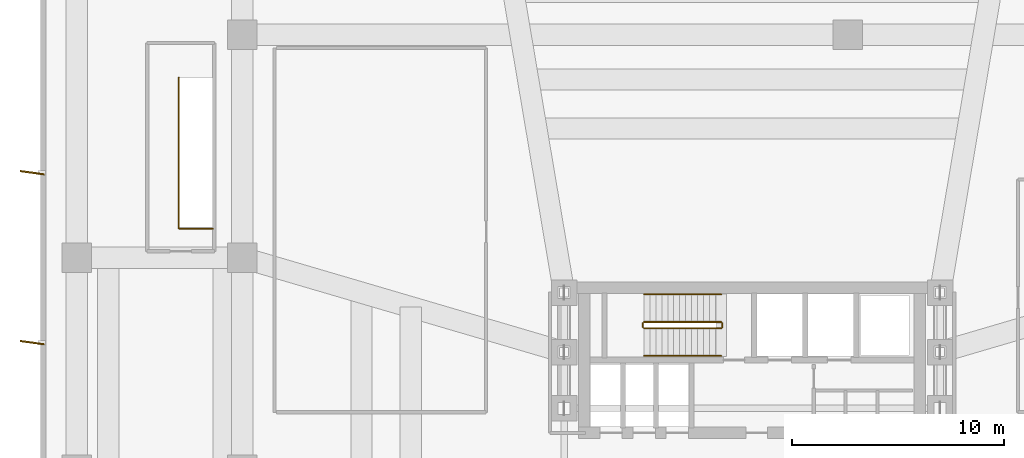
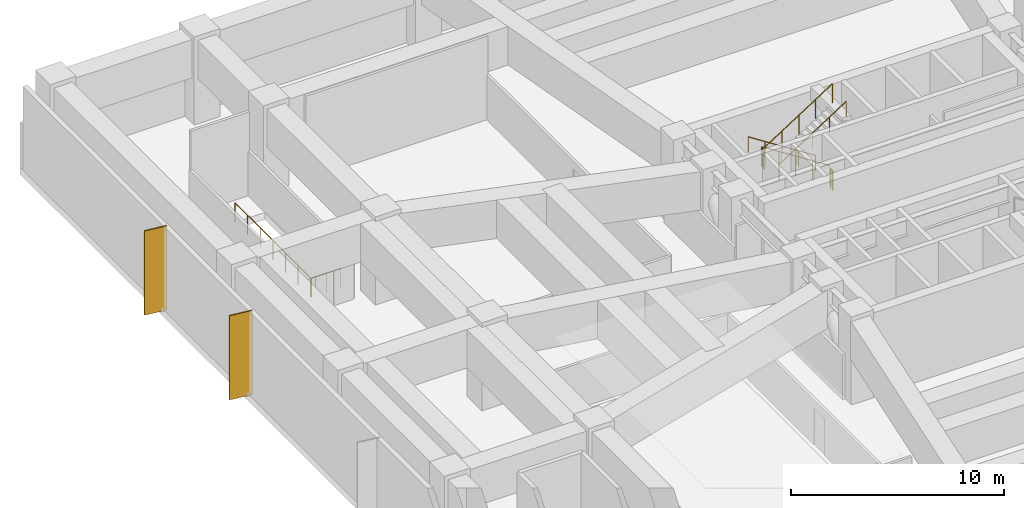
# One storey, part 13 of 14: 8 railings, 2 shading devices.
"""IFC4 building model written with IfcOpenShell, lengths in metres."""

from ifc_helpers import new_model, si_unit, direction, frame, origin, origin_2d, place, context, subcontext, project, spatial, rectangle, circle, extrude, material, layer, layer_set, type_object, element, save


model = new_model("IFC4")

# Units and contexts
model_context = context("Model", 3, precision=1e-05, world=origin(), true_north=direction((0.0, 1.0)))
body_context = subcontext(model_context, "Body", "Model", "MODEL_VIEW")
ifc_project = project(units=[si_unit("LENGTHUNIT", "METRE"), si_unit("AREAUNIT", "SQUARE_METRE"), si_unit("VOLUMEUNIT", "CUBIC_METRE"), si_unit("PLANEANGLEUNIT", "RADIAN"), si_unit("MASSUNIT", "GRAM", prefix="KILO")], contexts=[model_context])

# Site, building, storey
site_placement = place(None, origin())
site = spatial("IfcSite", under=ifc_project, at=site_placement, CompositionType="ELEMENT")
building_placement = place(site_placement, origin())
building = spatial("IfcBuilding", under=site, at=building_placement, Name="Solmarez Civic Tower", CompositionType="ELEMENT")
storey_placement = place(building_placement, frame((0.0, 0.0, 19.43994140625)))
storey = spatial("IfcBuildingStorey", under=building, at=storey_placement, Name="L04", CompositionType="ELEMENT", Elevation=19.43994140625)

# Shading devices
ifc_material_1 = material(Name="Bronze Anodised Aluminium EN AW-6063 T6", Category="aluminium")
ifc_layer = layer(ifc_material_1, 0.070068359375)
ifc_layer_set = layer_set([ifc_layer], Name="Bronze Anodised Aluminium EN AW-6063 T6")
shading_device_type = type_object("IfcShadingDeviceType", Name="FIN-BRONZE-POD", PredefinedType="USERDEFINED", material=ifc_layer_set)
for number, where, z_axis, x_axis, name in (
    (1, (-33.89501953125, 6.0, -0.0400390625), (0.0, 0.0, 1.0), (-0.990983199715, 0.133986185418, 0.0), "L04 Anodised Bronze Solar Fin FIN-L04-W3"),
    (2, (-33.89501953125, 14.0, -0.0400390625), (0.0, 0.0, 1.0), (-0.990983199715, 0.133986185418, 0.0), "L04 Anodised Bronze Solar Fin FIN-L04-W4"),
):
    element("IfcShadingDevice", number, at=place(storey_placement, frame(where, z_axis=z_axis, x_axis=x_axis)), inside=storey, type_object=shading_device_type, Name=name, ObjectType="FIN", PredefinedType="USERDEFINED", context=body_context, shape_type="SweptSolid", body=[
        extrude(rectangle(XDim=1.14990234375, YDim=0.070068359375, at=origin_2d()), origin(), (0.0, 0.0, 1.0), 4.820068359375),
    ])

# Railings
ifc_material_2 = material(Name="Painted Steel Stairwell Safety Guard", Category="steel")
railing_type_1 = type_object("IfcRailingType", Name="GUARD-STAIR-1120", PredefinedType="BALUSTRADE", material=ifc_material_2)
railing_1_placement = place(storey_placement, frame((-1.449951171875, 6.969970703125, 0.18017578125)))
element("IfcRailing", 3, at=railing_1_placement, inside=storey, type_object=railing_type_1, Name="L04 ST-1 stair guard 1", PredefinedType="BALUSTRADE", context=body_context, shape_type="SweptSolid", body=[
    extrude(circle(Radius=0.02392578125, at=origin_2d()), frame((0.0, 0.0, 1.09619140625), z_axis=(-0.841204137849, 0.0, 0.540717669829), x_axis=(0.0, -1.0, 0.0)), (0.0, 0.0, 1.0), 4.327392578125),
    extrude(circle(Radius=0.02099609375, at=origin_2d()), origin(), (0.0, 0.0, 1.0), 1.072021484375),
    extrude(circle(Radius=0.02099609375, at=origin_2d()), frame((-0.91015625, 0.0, 0.5849609375)), (0.0, 0.0, 1.0), 1.072021484375),
    extrude(circle(Radius=0.02099609375, at=origin_2d()), frame((-1.820068359375, 0.0, 1.169921875)), (0.0, 0.0, 1.0), 1.072021484375),
    extrude(circle(Radius=0.02099609375, at=origin_2d()), frame((-2.72998046875, 0.0, 1.7548828125)), (0.0, 0.0, 1.0), 1.072021484375),
    extrude(circle(Radius=0.02099609375, at=origin_2d()), frame((-3.64013671875, 0.0, 2.33984375)), (0.0, 0.0, 1.0), 1.072021484375),
])
railing_2_placement = place(storey_placement, frame((-5.139892578125, 6.919921875, 2.52001953125)))
element("IfcRailing", 4, at=railing_2_placement, inside=storey, type_object=railing_type_1, Name="L04 ST-1 stair guard 2", PredefinedType="BALUSTRADE", context=body_context, shape_type="SweptSolid", body=[
    extrude(circle(Radius=0.02392578125, at=origin_2d()), frame((0.0, 0.0, 1.09619140625), z_axis=(0.0, -1.0, 0.0), x_axis=(1.0, 0.0, 0.0)), (0.0, 0.0, 1.0), 0.199951171875),
    extrude(circle(Radius=0.02099609375, at=origin_2d()), origin(), (0.0, 0.0, 1.0), 1.072021484375),
    extrude(circle(Radius=0.02099609375, at=origin_2d()), frame((0.0, -0.199951171875, 0.0)), (0.0, 0.0, 1.0), 1.072021484375),
])
railing_3_placement = place(storey_placement, frame((-5.090087890625, 6.669921875, 2.699951171875)))
element("IfcRailing", 5, at=railing_3_placement, inside=storey, type_object=railing_type_1, Name="L04 ST-1 stair guard 3", PredefinedType="BALUSTRADE", context=body_context, shape_type="SweptSolid", body=[
    extrude(circle(Radius=0.02392578125, at=origin_2d()), frame((0.0, 0.0, 1.09619140625), z_axis=(0.841178475377, 0.0, 0.540757591313), x_axis=(0.0, 1.0, 0.0)), (0.0, 0.0, 1.0), 4.327392578125),
    extrude(circle(Radius=0.02099609375, at=origin_2d()), origin(), (0.0, 0.0, 1.0), 1.072021484375),
    extrude(circle(Radius=0.02099609375, at=origin_2d()), frame((0.91015625, 0.0, 0.5849609375)), (0.0, 0.0, 1.0), 1.072021484375),
    extrude(circle(Radius=0.02099609375, at=origin_2d()), frame((1.820068359375, 0.0, 1.169921875)), (0.0, 0.0, 1.0), 1.072021484375),
    extrude(circle(Radius=0.02099609375, at=origin_2d()), frame((2.72998046875, 0.0, 1.755126953125)), (0.0, 0.0, 1.0), 1.072021484375),
    extrude(circle(Radius=0.02099609375, at=origin_2d()), frame((3.64013671875, 0.0, 2.340087890625)), (0.0, 0.0, 1.0), 1.072021484375),
])
railing_4_placement = place(storey_placement, frame((-1.39990234375, 6.919921875, 0.0)))
element("IfcRailing", 6, at=railing_4_placement, inside=storey, type_object=railing_type_1, Name="L04 ST-1 stair guard 4", PredefinedType="BALUSTRADE", context=body_context, shape_type="SweptSolid", body=[
    extrude(circle(Radius=0.02392578125, at=origin_2d()), frame((0.0, 0.0, 1.09619140625), z_axis=(0.0, -1.0, 0.0), x_axis=(1.0, 0.0, 0.0)), (0.0, 0.0, 1.0), 0.199951171875),
    extrude(circle(Radius=0.02099609375, at=origin_2d()), origin(), (0.0, 0.0, 1.0), 1.072021484375),
    extrude(circle(Radius=0.02099609375, at=origin_2d()), frame((0.0, -0.199951171875, 0.0)), (0.0, 0.0, 1.0), 1.072021484375),
])
railing_5_placement = place(storey_placement, frame((-27.0, 11.3798828125, 0.0)))
element("IfcRailing", 7, at=railing_5_placement, inside=storey, type_object=railing_type_1, Name="L04 Stair ST-P3 Walkway Well Guard", PredefinedType="BALUSTRADE", context=body_context, shape_type="SweptSolid", body=[
    extrude(circle(Radius=0.02392578125, at=origin_2d()), frame((0.0, 0.0, 1.09619140625), z_axis=(0.0, 1.0, 0.0), x_axis=(-1.0, 0.0, 0.0)), (0.0, 0.0, 1.0), 7.10009765625),
    extrude(circle(Radius=0.02099609375, at=origin_2d()), origin(), (0.0, 0.0, 1.0), 1.072021484375),
    extrude(circle(Radius=0.02099609375, at=origin_2d()), frame((0.0, 1.183349609375, 0.0)), (0.0, 0.0, 1.0), 1.072021484375),
    extrude(circle(Radius=0.02099609375, at=origin_2d()), frame((0.0, 2.36669921875, 0.0)), (0.0, 0.0, 1.0), 1.072021484375),
    extrude(circle(Radius=0.02099609375, at=origin_2d()), frame((0.0, 3.550048828125, 0.0)), (0.0, 0.0, 1.0), 1.072021484375),
    extrude(circle(Radius=0.02099609375, at=origin_2d()), frame((0.0, 4.7333984375, 0.0)), (0.0, 0.0, 1.0), 1.072021484375),
    extrude(circle(Radius=0.02099609375, at=origin_2d()), frame((0.0, 5.916748046875, 0.0)), (0.0, 0.0, 1.0), 1.072021484375),
    extrude(circle(Radius=0.02099609375, at=origin_2d()), frame((0.0, 7.10009765625, 0.0)), (0.0, 0.0, 1.0), 1.072021484375),
])
railing_6_placement = place(storey_placement, frame((-25.3798828125, 11.360107421875, 0.0)))
element("IfcRailing", 8, at=railing_6_placement, inside=storey, type_object=railing_type_1, Name="L04 Stair ST-P3 Top Well Guard", PredefinedType="BALUSTRADE", context=body_context, shape_type="SweptSolid", body=[
    extrude(circle(Radius=0.02392578125, at=origin_2d()), frame((0.0, 0.0, 1.09619140625), z_axis=(-1.0, 0.0, 0.0), x_axis=(0.0, -1.0, 0.0)), (0.0, 0.0, 1.0), 1.580078125),
    extrude(circle(Radius=0.02099609375, at=origin_2d()), origin(), (0.0, 0.0, 1.0), 1.072021484375),
    extrude(circle(Radius=0.02099609375, at=origin_2d()), frame((-0.7900390625, 0.0, 0.0)), (0.0, 0.0, 1.0), 1.072021484375),
    extrude(circle(Radius=0.02099609375, at=origin_2d()), frame((-1.580078125, 0.0, 0.0)), (0.0, 0.0, 1.0), 1.072021484375),
])
ifc_material_3 = material(Name="Brushed Stainless Steel Tube Handrail", Category="steel")
railing_type_2 = type_object("IfcRailingType", Name="HANDRAIL-STAIR-900", PredefinedType="HANDRAIL", material=ifc_material_3)
railing_7_placement = place(storey_placement, frame((-1.449951171875, 8.27001953125, 0.18017578125)))
element("IfcRailing", 9, at=railing_7_placement, inside=storey, type_object=railing_type_2, Name="L04 ST-1 stair handrail 1", PredefinedType="HANDRAIL", context=body_context, shape_type="SweptSolid", body=[
    extrude(circle(Radius=0.02392578125, at=origin_2d()), frame((0.0, 0.0, 0.8759765625), z_axis=(-0.841204137849, 0.0, 0.540717669829), x_axis=(0.0, -1.0, 0.0)), (0.0, 0.0, 1.0), 4.327392578125),
    extrude(circle(Radius=0.02099609375, at=origin_2d()), origin(), (0.0, 0.0, 1.0), 0.851806640625),
    extrude(circle(Radius=0.02099609375, at=origin_2d()), frame((-0.91015625, 0.0, 0.5849609375)), (0.0, 0.0, 1.0), 0.851806640625),
    extrude(circle(Radius=0.02099609375, at=origin_2d()), frame((-1.820068359375, 0.0, 1.169921875)), (0.0, 0.0, 1.0), 0.851806640625),
    extrude(circle(Radius=0.02099609375, at=origin_2d()), frame((-2.72998046875, 0.0, 1.7548828125)), (0.0, 0.0, 1.0), 0.851806640625),
    extrude(circle(Radius=0.02099609375, at=origin_2d()), frame((-3.64013671875, 0.0, 2.33984375)), (0.0, 0.0, 1.0), 0.851806640625),
])
railing_8_placement = place(storey_placement, frame((-5.090087890625, 5.3701171875, 2.699951171875)))
element("IfcRailing", 10, at=railing_8_placement, inside=storey, type_object=railing_type_2, Name="L04 ST-1 stair handrail 2", PredefinedType="HANDRAIL", context=body_context, shape_type="SweptSolid", body=[
    extrude(circle(Radius=0.02392578125, at=origin_2d()), frame((0.0, 0.0, 0.8759765625), z_axis=(0.841178475377, 0.0, 0.540757591313), x_axis=(0.0, 1.0, 0.0)), (0.0, 0.0, 1.0), 4.327392578125),
    extrude(circle(Radius=0.02099609375, at=origin_2d()), origin(), (0.0, 0.0, 1.0), 0.851806640625),
    extrude(circle(Radius=0.02099609375, at=origin_2d()), frame((0.91015625, 0.0, 0.5849609375)), (0.0, 0.0, 1.0), 0.851806640625),
    extrude(circle(Radius=0.02099609375, at=origin_2d()), frame((1.820068359375, 0.0, 1.169921875)), (0.0, 0.0, 1.0), 0.851806640625),
    extrude(circle(Radius=0.02099609375, at=origin_2d()), frame((2.72998046875, 0.0, 1.755126953125)), (0.0, 0.0, 1.0), 0.851806640625),
    extrude(circle(Radius=0.02099609375, at=origin_2d()), frame((3.64013671875, 0.0, 2.340087890625)), (0.0, 0.0, 1.0), 0.851806640625),
])

save(model, "model.ifc")
